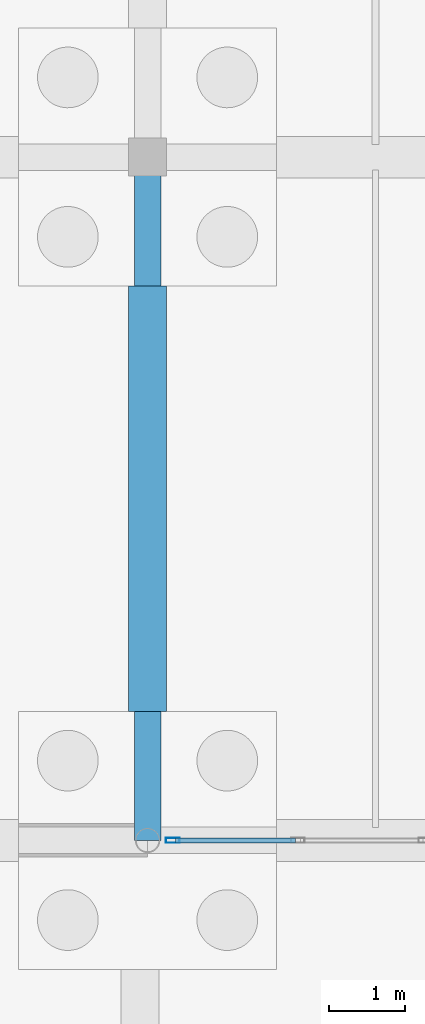
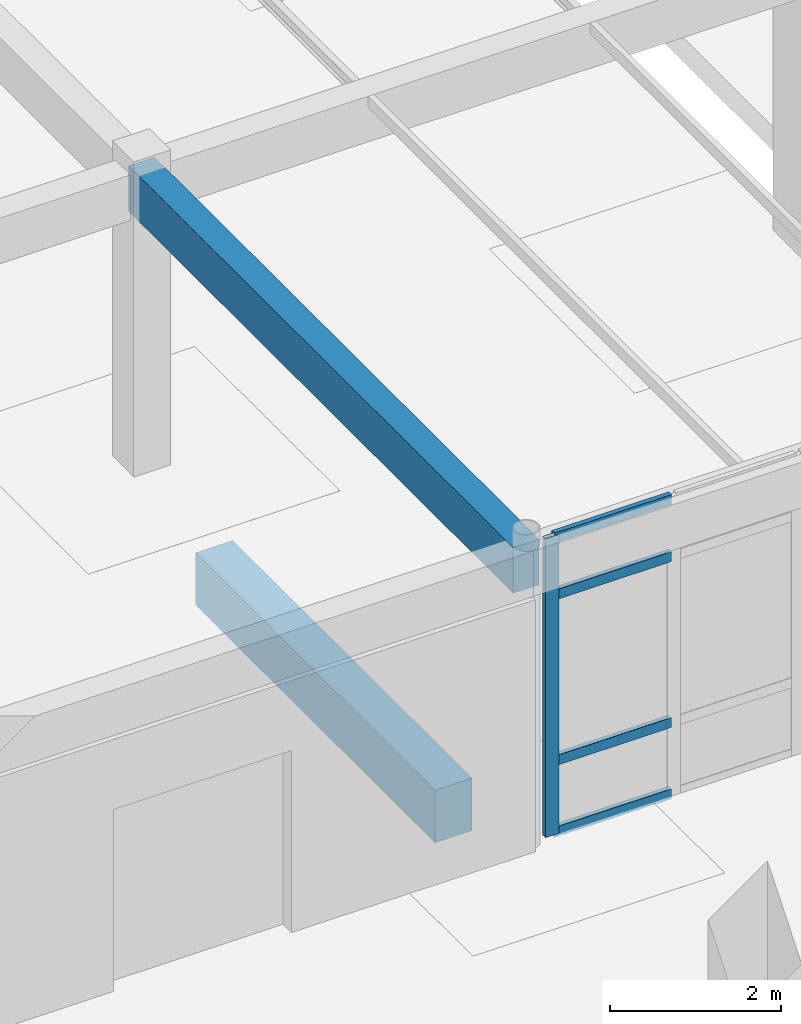
# One storey, part 61 of 186: 5 members, 2 beams, 1 element without a shape of its own.
"""IFC4 building model written with IfcOpenShell, lengths in metres."""

from ifc_helpers import new_model, si_unit, direction, frame, origin, origin_2d, place, context, subcontext, project, spatial, rectangle, hollow_rectangle, extrude, material, layer, layer_set, material_profile, profile_set, type_object, element, aggregate, save


model = new_model("IFC4")

# Units and contexts
model_context = context("Model", 3, precision=1e-05, world=origin(), true_north=direction((0.0, 1.0)))
body_context = subcontext(model_context, "Body", "Model", "MODEL_VIEW")
ifc_project = project(units=[si_unit("LENGTHUNIT", "METRE"), si_unit("AREAUNIT", "SQUARE_METRE"), si_unit("VOLUMEUNIT", "CUBIC_METRE"), si_unit("PLANEANGLEUNIT", "RADIAN"), si_unit("MASSUNIT", "GRAM", prefix="KILO")], contexts=[model_context])

# Site, building, storey
site_placement = place(None, origin())
site = spatial("IfcSite", under=ifc_project, at=site_placement, CompositionType="ELEMENT")
building_placement = place(site_placement, origin())
building = spatial("IfcBuilding", under=site, at=building_placement, Name="Ornek Quay Market", CompositionType="ELEMENT")
storey_placement = place(building_placement, origin())
storey = spatial("IfcBuildingStorey", under=building, at=storey_placement, Name="L00", CompositionType="ELEMENT", Elevation=0.0)

# Beams
ifc_material_1 = material(Name="Concrete C35/45", Category="concrete")
ifc_material_profile_1 = material_profile(ifc_material_1, rectangle(XDim=0.35009765625, YDim=0.64990234375, at=origin_2d()), Name="RC 350x650", Category="concrete")
ifc_profile_set_1 = profile_set([ifc_material_profile_1], Name="Concrete C35/45")
beam_type_1 = type_object("IfcBeamType", Name="BM-CONC-350x650", PredefinedType="BEAM", material=ifc_profile_set_1)
beam_1_placement = place(storey_placement, frame((45.0, 92.0, 3.945068359375), z_axis=(0.0, 1.0, 0.0), x_axis=(-1.0, 0.0, 0.0)))
element("IfcBeam", 1, at=beam_1_placement, inside=storey, type_object=beam_type_1, Name="Primary beam B-CN1-060", PredefinedType="BEAM", context=body_context, shape_type="SweptSolid", body=[
    extrude(rectangle(XDim=0.35009765625, YDim=0.64990234375, at=origin_2d()), origin(), (0.0, 0.0, 1.0), 9.0),
])
ifc_material_profile_2 = material_profile(ifc_material_1, rectangle(XDim=0.5, YDim=0.75, at=origin_2d()), Name="RC 500x750", Category="concrete")
ifc_profile_set_2 = profile_set([ifc_material_profile_2], Name="Concrete C35/45")
beam_type_2 = type_object("IfcBeamType", Name="BM-GB-500x750", PredefinedType="BEAM", material=ifc_profile_set_2)
beam_2_placement = place(storey_placement, frame((45.0, 93.699951171875, -0.574951171875), z_axis=(0.0, 1.0, 0.0), x_axis=(-1.0, 0.0, 0.0)))
element("IfcBeam", 2, at=beam_2_placement, inside=storey, type_object=beam_type_2, Name="Ground tie beam GB-107", PredefinedType="BEAM", context=body_context, shape_type="SweptSolid", body=[
    extrude(rectangle(XDim=0.5, YDim=0.75, at=origin_2d()), origin(), (0.0, 0.0, 1.0), 5.60009765625),
])

# Curtain wall, members
ifc_material_2 = material(Name="Anodised bronze aluminium and triple low-e glass", Category="aluminium")
ifc_layer = layer(ifc_material_2, 0.199951171875, Name="Anodised bronze aluminium and triple low-e glass", Category="aluminium")
ifc_layer_set = layer_set([ifc_layer], Name="Anodised bronze aluminium and triple low-e glass")
curtain_wall_type = type_object("IfcCurtainWallType", Name="CW-CONC-MOD1800", PredefinedType="USERDEFINED", material=ifc_layer_set)
curtain_wall_placement = place(storey_placement, origin())
curtain_wall = element("IfcCurtainWall", 3, at=curtain_wall_placement, inside=storey, type_object=curtain_wall_type, Name="Curtain wall CW-010", ObjectType="CURTAIN WALL", PredefinedType="USERDEFINED")
ifc_material_3 = material(Name="Anodised aluminium 6063-T6", Category="aluminium")
ifc_material_profile_3 = material_profile(ifc_material_3, hollow_rectangle(XDim=0.06494140625, YDim=0.179931640625, WallThickness=0.00439453125, at=origin_2d()), Name="CW-MUL-65x180", Category="aluminium")
ifc_profile_set_3 = profile_set([ifc_material_profile_3], Name="Anodised aluminium 6063-T6")
member_type_1 = type_object("IfcMemberType", Name="CW-MUL-65x180", PredefinedType="MULLION", material=ifc_profile_set_3)
member_1_placement = place(storey_placement, frame((45.33251953125, 92.0, 0.0), z_axis=(0.0, 0.0, 1.0), x_axis=(0.0, 1.0, 0.0)))
member_1 = element("IfcMember", 4, at=member_1_placement, type_object=member_type_1, Name="CW-010 mullion 1", PredefinedType="MULLION", context=body_context, shape_type="SweptSolid", body=[
    extrude(hollow_rectangle(XDim=0.06494140625, YDim=0.179931640625, WallThickness=0.00439453125, at=origin_2d()), origin(), (0.0, 0.0, 1.0), 4.27001953125),
])
ifc_material_profile_4 = material_profile(ifc_material_3, hollow_rectangle(XDim=0.06494140625, YDim=0.139892578125, WallThickness=0.00439453125, at=origin_2d()), Name="CW-TRN-65x140", Category="aluminium")
ifc_profile_set_4 = profile_set([ifc_material_profile_4], Name="Anodised aluminium 6063-T6")
member_type_2 = type_object("IfcMemberType", Name="CW-TRN-65x140", PredefinedType="USERDEFINED", material=ifc_profile_set_4)
member_2_placement = place(storey_placement, frame((45.364990234375, 92.0, 0.032470703125), z_axis=(1.0, 0.0, 0.0), x_axis=(0.0, 1.0, 0.0)))
member_2 = element("IfcMember", 5, at=member_2_placement, type_object=member_type_2, Name="CW-010 transom 1.1", ObjectType="TRANSOM", PredefinedType="USERDEFINED", context=body_context, shape_type="SweptSolid", body=[
    extrude(hollow_rectangle(XDim=0.06494140625, YDim=0.139892578125, WallThickness=0.00439453125, at=origin_2d()), origin(), (0.0, 0.0, 1.0), 1.58251953125),
])
member_3_placement = place(storey_placement, frame((45.364990234375, 92.0, 1.050048828125), z_axis=(1.0, 0.0, 0.0), x_axis=(0.0, 1.0, 0.0)))
member_3 = element("IfcMember", 6, at=member_3_placement, type_object=member_type_2, Name="CW-010 transom 1.2", ObjectType="TRANSOM", PredefinedType="USERDEFINED", context=body_context, shape_type="SweptSolid", body=[
    extrude(hollow_rectangle(XDim=0.06494140625, YDim=0.139892578125, WallThickness=0.00439453125, at=origin_2d()), origin(), (0.0, 0.0, 1.0), 1.58251953125),
])
member_4_placement = place(storey_placement, frame((45.364990234375, 92.0, 3.419921875), z_axis=(1.0, 0.0, 0.0), x_axis=(0.0, 1.0, 0.0)))
member_4 = element("IfcMember", 7, at=member_4_placement, type_object=member_type_2, Name="CW-010 transom 1.3", ObjectType="TRANSOM", PredefinedType="USERDEFINED", context=body_context, shape_type="SweptSolid", body=[
    extrude(hollow_rectangle(XDim=0.06494140625, YDim=0.139892578125, WallThickness=0.00439453125, at=origin_2d()), origin(), (0.0, 0.0, 1.0), 1.58251953125),
])
member_5_placement = place(storey_placement, frame((45.364990234375, 92.0, 4.237548828125), z_axis=(1.0, 0.0, 0.0), x_axis=(0.0, 1.0, 0.0)))
member_5 = element("IfcMember", 8, at=member_5_placement, type_object=member_type_2, Name="CW-010 transom 1.4", ObjectType="TRANSOM", PredefinedType="USERDEFINED", context=body_context, shape_type="SweptSolid", body=[
    extrude(hollow_rectangle(XDim=0.06494140625, YDim=0.139892578125, WallThickness=0.00439453125, at=origin_2d()), origin(), (0.0, 0.0, 1.0), 1.58251953125),
])
aggregate(curtain_wall, [member_1, member_2, member_3, member_4, member_5])

save(model, "model.ifc")
